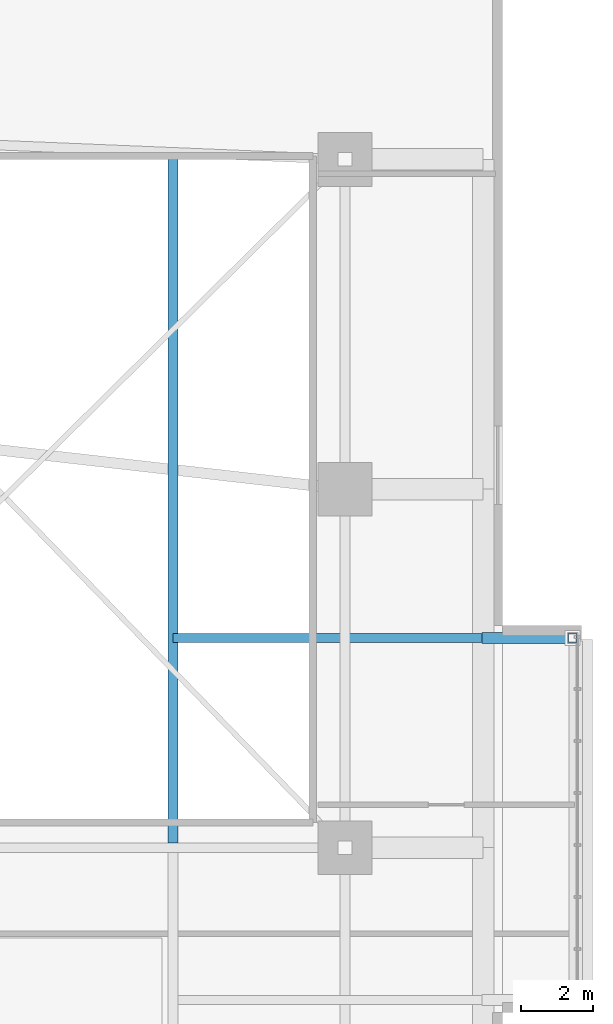
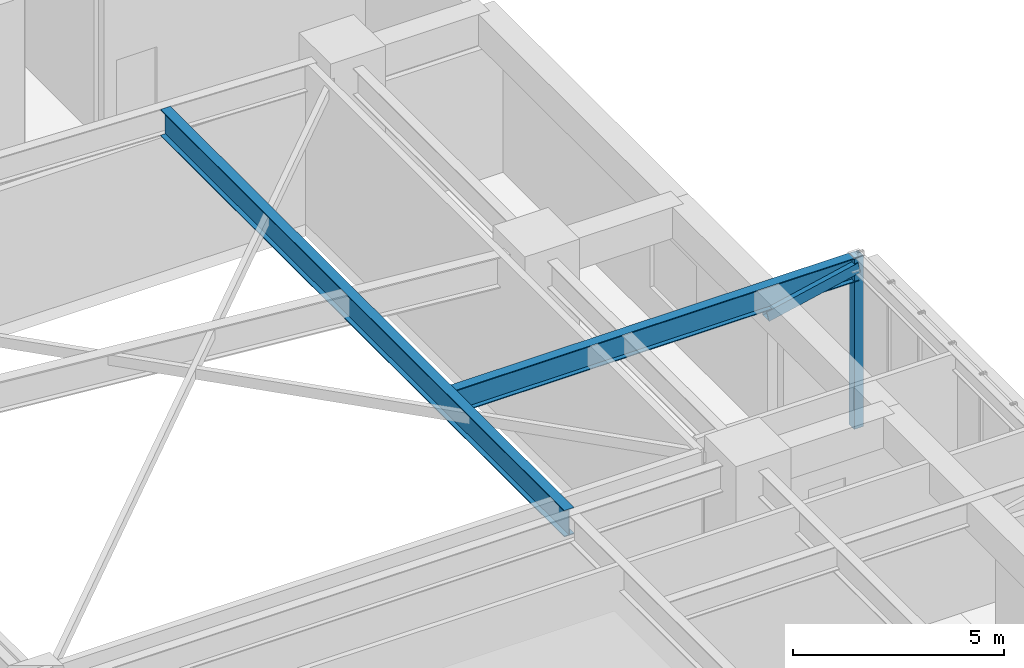
# One storey, part 11 of 24: 2 beams, 2 members.
"""IFC4 building model written with IfcOpenShell, lengths in metres."""

from ifc_helpers import new_model, si_unit, direction, frame, origin, origin_2d, place, context, subcontext, project, spatial, hollow_rectangle, i_section, extrude, material, material_profile, profile_set, type_object, element, save


model = new_model("IFC4")

# Units and contexts
model_context = context("Model", 3, precision=1e-05, world=origin(), true_north=direction((0.0, 1.0)))
body_context = subcontext(model_context, "Body", "Model", "MODEL_VIEW")
ifc_project = project(units=[si_unit("LENGTHUNIT", "METRE"), si_unit("AREAUNIT", "SQUARE_METRE"), si_unit("VOLUMEUNIT", "CUBIC_METRE"), si_unit("PLANEANGLEUNIT", "RADIAN"), si_unit("MASSUNIT", "GRAM", prefix="KILO")], contexts=[model_context])

# Site, building, storey
site_placement = place(None, origin())
site = spatial("IfcSite", under=ifc_project, at=site_placement, CompositionType="ELEMENT")
building_placement = place(site_placement, origin())
building = spatial("IfcBuilding", under=site, at=building_placement, Name="Zulverin Broadcast Headquarters", CompositionType="ELEMENT")
storey_placement = place(building_placement, frame((0.0, 0.0, 5.0)))
storey = spatial("IfcBuildingStorey", under=building, at=storey_placement, Name="L01", CompositionType="ELEMENT", Elevation=5.0)

# Beams
ifc_material = material(Name="Structural steel S355JR", Category="steel")
ifc_material_profile_1 = material_profile(ifc_material, i_section(OverallWidth=0.255859375, OverallDepth=0.69287109375, WebThickness=0.014404296875, FlangeThickness=0.023681640625, at=origin_2d()), Name="Structural steel S355JR", Category="steel")
ifc_profile_set_1 = profile_set([ifc_material_profile_1], Name="Structural steel S355JR")
beam_type_1 = type_object("IfcBeamType", Name="BM-UB-686", PredefinedType="BEAM", material=ifc_profile_set_1)
beam_1_placement = place(storey_placement, frame((64.800048828125, 21.050048828125, 4.3134765625), z_axis=(1.0, 0.0, 0.0), x_axis=(0.0, 1.0, 0.0)))
element("IfcBeam", 1, at=beam_1_placement, inside=storey, type_object=beam_type_1, Name="L01 Studio Box Cantilever Girder SBOX_POD_LOWER_E1-2", PredefinedType="BEAM", context=body_context, shape_type="SweptSolid", body=[
    extrude(i_section(OverallWidth=0.255859375, OverallDepth=0.69287109375, WebThickness=0.014404296875, FlangeThickness=0.023681640625, at=origin_2d()), origin(), (0.0, 0.0, 1.0), 11.14990234375),
])
ifc_material_profile_2 = material_profile(ifc_material, i_section(OverallWidth=0.26806640625, OverallDepth=0.769775390625, WebThickness=0.015625, FlangeThickness=0.025390625, at=origin_2d()), Name="Structural steel S355JR", Category="steel")
ifc_profile_set_2 = profile_set([ifc_material_profile_2], Name="Structural steel S355JR")
beam_type_2 = type_object("IfcBeamType", Name="BM-UB-762", PredefinedType="BEAM", material=ifc_profile_set_2)
beam_2_placement = place(storey_placement, frame((64.800048828125, 15.333984375, 4.275146484375), z_axis=(0.0, 1.0, 0.0), x_axis=(-1.0, 0.0, 0.0)))
element("IfcBeam", 2, at=beam_2_placement, inside=storey, type_object=beam_type_2, Name="L01 East Back-Span Anchor Beam ESBA-2", PredefinedType="BEAM", context=body_context, shape_type="SweptSolid", body=[
    extrude(i_section(OverallWidth=0.26806640625, OverallDepth=0.769775390625, WebThickness=0.015625, FlangeThickness=0.025390625, at=origin_2d()), origin(), (0.0, 0.0, 1.0), 19.1298828125),
])

# Members
ifc_material_profile_3 = material_profile(ifc_material, hollow_rectangle(XDim=0.300048828125, YDim=0.300048828125, WallThickness=0.01611328125, at=origin_2d()), Name="Structural steel S355JR", Category="steel")
ifc_profile_set_3 = profile_set([ifc_material_profile_3], Name="Structural steel S355JR")
member_type_1 = type_object("IfcMemberType", Name="MBR-BLT-DIAG1", PredefinedType="BRACE", material=ifc_profile_set_3)
member_1_placement = place(storey_placement, frame((73.449951171875, 21.050048828125, 3.81005859375), z_axis=(0.976640463768, 0.0, 0.214879977038), x_axis=(0.0, 1.0, 0.0)))
element("IfcMember", 3, at=member_1_placement, inside=storey, type_object=member_type_1, Name="L01 Studio Box Raking Knee Brace SBOX_POD_LOWER_E1-2", PredefinedType="BRACE", context=body_context, shape_type="SweptSolid", body=[
    extrude(hollow_rectangle(XDim=0.300048828125, YDim=0.300048828125, WallThickness=0.01611328125, at=origin_2d()), origin(), (0.0, 0.0, 1.0), 2.559814453125),
])
ifc_material_profile_4 = material_profile(ifc_material, hollow_rectangle(XDim=0.25, YDim=0.25, WallThickness=0.01611328125, at=origin_2d()), Name="Structural steel S355JR", Category="steel")
ifc_profile_set_4 = profile_set([ifc_material_profile_4], Name="Structural steel S355JR")
member_type_2 = type_object("IfcMemberType", Name="MBR-BLT-POST", PredefinedType="POST", material=ifc_profile_set_4)
member_2_placement = place(storey_placement, frame((75.949951171875, 21.050048828125, -0.2900390625), z_axis=(0.0, 0.0, 1.0), x_axis=(1.0, 0.0, 0.0)))
element("IfcMember", 4, at=member_2_placement, inside=storey, type_object=member_type_2, Name="L01 Shifted Studio Box Frame Post SBOX_POD_LOWER_E1-2", PredefinedType="POST", context=body_context, shape_type="SweptSolid", body=[
    extrude(hollow_rectangle(XDim=0.25, YDim=0.25, WallThickness=0.01611328125, at=origin_2d()), origin(), (0.0, 0.0, 1.0), 4.949951171875),
])

save(model, "model.ifc")
